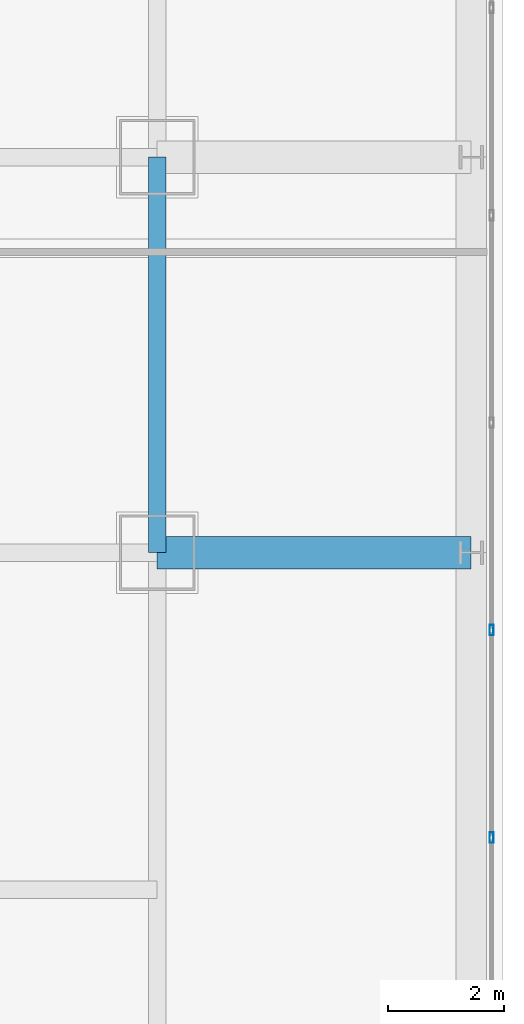
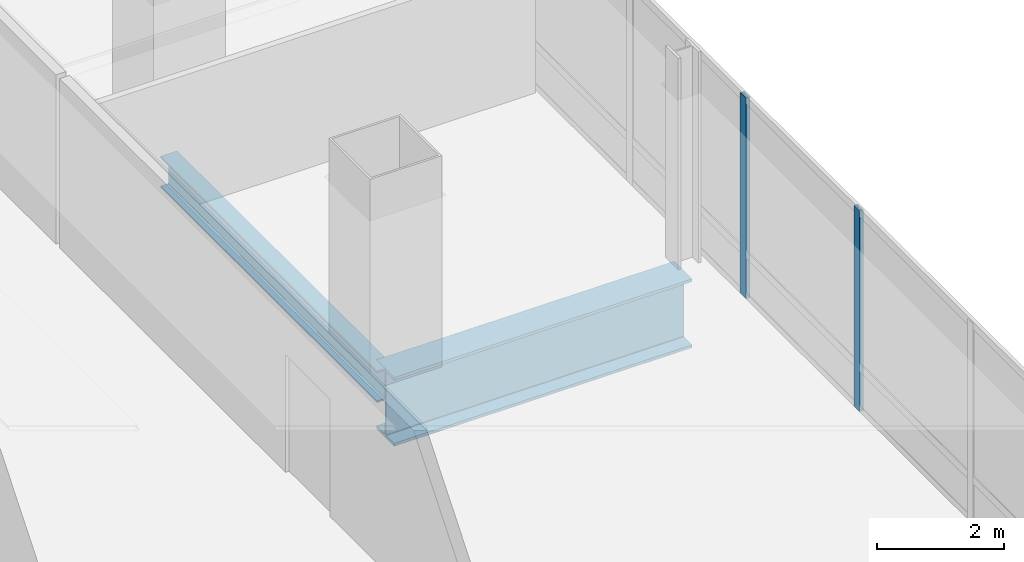
# One storey, part 17 of 40: 2 beams, 2 members, 1 element without a shape of its own.
"""IFC4 building model written with IfcOpenShell, lengths in metres."""

from ifc_helpers import new_model, si_unit, direction, frame, origin, origin_2d, place, context, subcontext, project, spatial, hollow_rectangle, i_section, extrude, material, material_profile, profile_set, type_object, element, aggregate, save


model = new_model("IFC4")

# Units and contexts
model_context = context("Model", 3, precision=1e-05, world=origin(), true_north=direction((0.0, 1.0)))
body_context = subcontext(model_context, "Body", "Model", "MODEL_VIEW")
ifc_project = project(units=[si_unit("LENGTHUNIT", "METRE"), si_unit("AREAUNIT", "SQUARE_METRE"), si_unit("VOLUMEUNIT", "CUBIC_METRE"), si_unit("PLANEANGLEUNIT", "RADIAN"), si_unit("MASSUNIT", "GRAM", prefix="KILO")], contexts=[model_context])

# Site, building, storey
site_placement = place(None, origin())
site = spatial("IfcSite", under=ifc_project, at=site_placement, CompositionType="ELEMENT")
building_placement = place(site_placement, origin())
building = spatial("IfcBuilding", under=site, at=building_placement, Name="Punatoya Terracotta Tower", CompositionType="ELEMENT")
storey_placement = place(building_placement, frame((0.0, 0.0, 271.64990234375)))
storey = spatial("IfcBuildingStorey", under=building, at=storey_placement, Name="L64", CompositionType="ELEMENT", Elevation=271.64990234375)

# Beams
ifc_material_1 = material(Name="Steel S355", Category="steel")
ifc_material_profile_1 = material_profile(ifc_material_1, i_section(OverallWidth=0.300048828125, OverallDepth=0.60009765625, WebThickness=0.015380859375, FlangeThickness=0.030029296875, FilletRadius=0.01806640625, at=origin_2d()))
ifc_profile_set_1 = profile_set([ifc_material_profile_1], Name="Steel S355")
beam_type_1 = type_object("IfcBeamType", Name="BM-PRI-600", PredefinedType="BEAM", material=ifc_profile_set_1)
beam_1_placement = place(storey_placement, frame((19.10009765625, -3.39990234375, -0.5), z_axis=(0.0, 1.0, 0.0), x_axis=(-1.0, 0.0, 0.0)))
element("IfcBeam", 1, at=beam_1_placement, inside=storey, type_object=beam_type_1, Name="BM-L64-RG-E2", PredefinedType="BEAM", context=body_context, shape_type="SweptSolid", body=[
    extrude(i_section(OverallWidth=0.300048828125, OverallDepth=0.60009765625, WebThickness=0.015380859375, FlangeThickness=0.030029296875, FilletRadius=0.01806640625, at=origin_2d()), origin(), (0.0, 0.0, 1.0), 6.7998046875),
])
ifc_material_2 = material(Name="Steel S460", Category="steel")
ifc_material_profile_2 = material_profile(ifc_material_2, i_section(OverallWidth=0.56005859375, OverallDepth=1.320068359375, WebThickness=0.035888671875, FlangeThickness=0.054931640625, FilletRadius=0.01806640625, at=origin_2d()))
ifc_profile_set_2 = profile_set([ifc_material_profile_2], Name="Steel S460")
beam_type_2 = type_object("IfcBeamType", Name="BM-TG-BLK", PredefinedType="BEAM", material=ifc_profile_set_2)
beam_2_placement = place(storey_placement, frame((19.10009765625, -3.39990234375, -0.85986328125), z_axis=(1.0, 0.0, 0.0), x_axis=(0.0, 1.0, 0.0)))
element("IfcBeam", 2, at=beam_2_placement, inside=storey, type_object=beam_type_2, Name="BM-L64-CANT-E2", PredefinedType="BEAM", context=body_context, shape_type="SweptSolid", body=[
    extrude(i_section(OverallWidth=0.56005859375, OverallDepth=1.320068359375, WebThickness=0.035888671875, FlangeThickness=0.054931640625, FilletRadius=0.01806640625, at=origin_2d()), origin(), (0.0, 0.0, 1.0), 5.39990234375),
])

# Curtain wall, members
ifc_material_3 = material(Name="Aluminium 6063-T6 + Double Low-E Glass", Category="aluminium")
curtain_wall_type = type_object("IfcCurtainWallType", Name="CW-M3", PredefinedType="NOTDEFINED", material=ifc_material_3)
curtain_wall_placement = place(storey_placement, origin())
curtain_wall = element("IfcCurtainWall", 3, at=curtain_wall_placement, inside=storey, type_object=curtain_wall_type, Name="L64 Curtain Wall CW-L64-E05-1", PredefinedType="NOTDEFINED")
ifc_material_4 = material(Name="Aluminium 6063-T6", Category="aluminium")
ifc_material_profile_3 = material_profile(ifc_material_4, hollow_rectangle(XDim=0.070068359375, YDim=0.179931640625, WallThickness=0.00390625, at=origin_2d()))
ifc_profile_set_3 = profile_set([ifc_material_profile_3], Name="Aluminium 6063-T6")
member_type = type_object("IfcMemberType", Name="CW-MUL-M3", PredefinedType="MULLION", material=ifc_profile_set_3)
member_1_placement = place(storey_placement, frame((24.85009765625, -8.302001953125, 0.0), z_axis=(0.0, 0.0, 1.0), x_axis=(1.0, 0.0, 0.0)))
member_1 = element("IfcMember", 4, at=member_1_placement, type_object=member_type, Name="CW-L64-E05-1 Mullion 02", PredefinedType="MULLION", context=body_context, shape_type="SweptSolid", body=[
    extrude(hollow_rectangle(XDim=0.070068359375, YDim=0.179931640625, WallThickness=0.00390625, at=origin_2d()), origin(), (0.0, 0.0, 1.0), 3.85009765625),
])
member_2_placement = place(storey_placement, frame((24.85009765625, -4.73486328125, 0.0), z_axis=(0.0, 0.0, 1.0), x_axis=(1.0, 0.0, 0.0)))
member_2 = element("IfcMember", 5, at=member_2_placement, type_object=member_type, Name="CW-L64-E05-1 Mullion 03", PredefinedType="MULLION", context=body_context, shape_type="SweptSolid", body=[
    extrude(hollow_rectangle(XDim=0.070068359375, YDim=0.179931640625, WallThickness=0.00390625, at=origin_2d()), origin(), (0.0, 0.0, 1.0), 3.85009765625),
])
aggregate(curtain_wall, [member_1, member_2])

save(model, "model.ifc")
